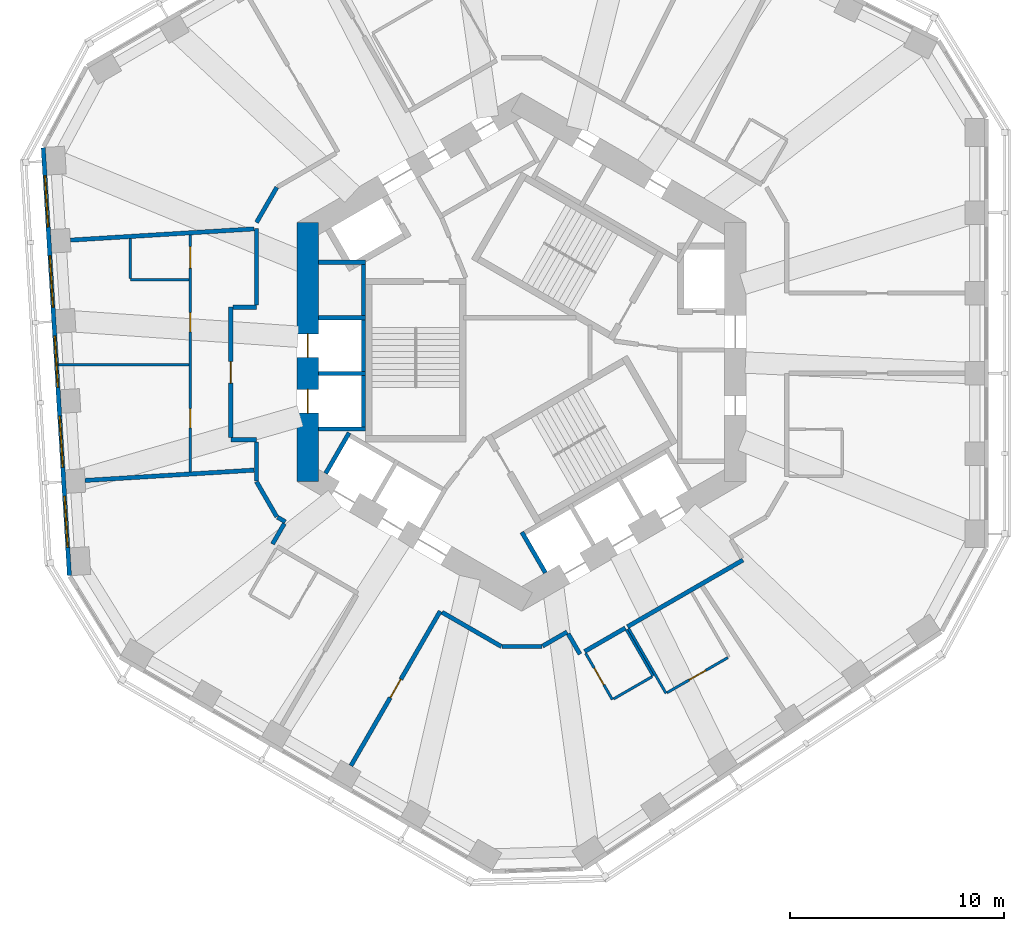
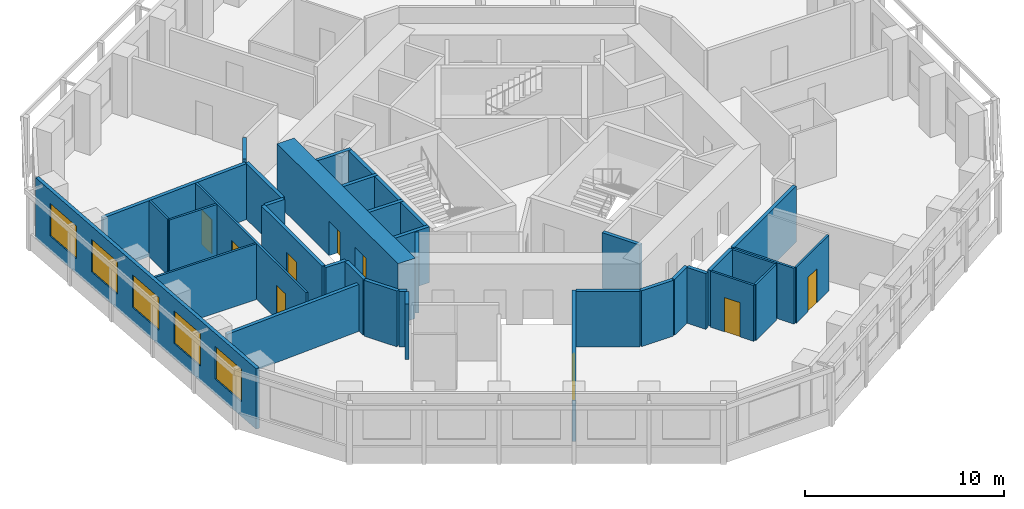
# One storey, part 4 of 11: 36 walls, 9 doors, 5 windows, 14 openings.
"""IFC4 building model written with IfcOpenShell, lengths in metres."""

from ifc_helpers import new_model, si_unit, direction, frame, frame_2d, origin, place, context, subcontext, project, spatial, rectangle, extrude, material, layer, layer_set, type_object, element, fill, save


model = new_model("IFC4")

# Units and contexts
model_context = context("Model", 3, precision=1e-05, world=origin(), true_north=direction((0.0, 1.0)))
body_context = subcontext(model_context, "Body", "Model", "MODEL_VIEW")
ifc_project = project(units=[si_unit("LENGTHUNIT", "METRE"), si_unit("AREAUNIT", "SQUARE_METRE"), si_unit("VOLUMEUNIT", "CUBIC_METRE"), si_unit("PLANEANGLEUNIT", "RADIAN"), si_unit("MASSUNIT", "GRAM", prefix="KILO")], contexts=[model_context])

# Site, building, storey
site_placement = place(None, origin())
site = spatial("IfcSite", under=ifc_project, at=site_placement, CompositionType="ELEMENT")
building_placement = place(site_placement, origin())
building = spatial("IfcBuilding", under=site, at=building_placement, Name="Vanh Sen Convention Tower", CompositionType="ELEMENT")
storey_placement = place(building_placement, frame((0.0, 0.0, 150.300048828125)))
storey = spatial("IfcBuildingStorey", under=building, at=storey_placement, Name="L36", CompositionType="ELEMENT", Elevation=150.300048828125)

# Walls
ifc_material_1 = material(Name="Moisture-resistant gypsum board on steel studs", Category="steel")
ifc_layer_1 = layer(ifc_material_1, 0.1201171875)
ifc_layer_set_1 = layer_set([ifc_layer_1], Name="Moisture-resistant gypsum board on steel studs")
wall_type_1 = type_object("IfcWallType", Name="Bathroom partition 120", PredefinedType="PARTITIONING", material=ifc_layer_set_1)
wall_1_placement = place(storey_placement, frame((-21.65380859375, -0.591796875, 0.0), z_axis=(0.0, 0.0, 1.0), x_axis=(1.0, 0.0, 0.0)))
element("IfcWall", 1, at=wall_1_placement, inside=storey, type_object=wall_type_1, Name="Bathroom partition 120", PredefinedType="PARTITIONING", context=body_context, shape_type="SweptSolid", body=[
    extrude(rectangle(XDim=6.0927734375, YDim=0.1201171875, at=frame_2d((3.04638671875, 0.0))), origin(), (0.0, 0.0, 1.0), 3.419921875),
])
wall_2_placement = place(storey_placement, frame((-18.301025390625, 3.379638671875, 0.0), z_axis=(0.0, 0.0, 1.0), x_axis=(1.0, 0.0, 0.0)))
element("IfcWall", 2, at=wall_2_placement, inside=storey, type_object=wall_type_1, Name="Bathroom partition 120", PredefinedType="PARTITIONING", context=body_context, shape_type="SweptSolid", body=[
    extrude(rectangle(XDim=2.739990234375, YDim=0.1201171875, at=frame_2d((1.3701171875, 0.0))), origin(), (0.0, 0.0, 1.0), 3.419921875),
])
wall_3_placement = place(storey_placement, frame((-18.301025390625, 5.308349609375, 0.0), z_axis=(0.0, 0.0, 1.0), x_axis=(0.0, -1.0, 0.0)))
element("IfcWall", 3, at=wall_3_placement, inside=storey, type_object=wall_type_1, Name="Bathroom partition 120", PredefinedType="PARTITIONING", context=body_context, shape_type="SweptSolid", body=[
    extrude(rectangle(XDim=1.86865234375, YDim=0.1201171875, at=frame_2d((0.934326171875, 0.0))), origin(), (0.0, 0.0, 1.0), 3.419921875),
])

# Wall, openings, doors
wall_4_placement = place(storey_placement, frame((-15.5009765625, 5.4794921875, 0.0), z_axis=(0.0, 0.0, 1.0), x_axis=(0.0, -1.0, 0.0)))
wall_4 = element("IfcWall", 4, at=wall_4_placement, inside=storey, type_object=wall_type_1, Name="Bathroom partition 120", PredefinedType="PARTITIONING", context=body_context, shape_type="SweptSolid", body=[
    extrude(rectangle(XDim=11.08349609375, YDim=0.1201171875, at=frame_2d((5.541748046875, 0.0))), origin(), (0.0, 0.0, 1.0), 3.419921875),
])
opening_1_placement = place(wall_4_placement, frame((0.550048828125, 0.0, 0.0)))
opening_1 = element("IfcOpeningElement", 5, at=opening_1_placement, cuts=wall_4, Name="Opening D35108", PredefinedType="OPENING", context=body_context, shape_type="SweptSolid", body=[
    extrude(rectangle(XDim=1.0, YDim=2.10009765625, at=frame_2d((0.5, 1.050048828125))), frame((0.0, 0.070068359375, 0.0), z_axis=(0.0, -1.0, 0.0), x_axis=(1.0, 0.0, 0.0)), (0.0, 0.0, 1.0), 0.14013671875),
])
opening_2_placement = place(wall_4_placement, frame((3.6357421875, 0.0, 0.0)))
opening_2 = element("IfcOpeningElement", 6, at=opening_2_placement, cuts=wall_4, Name="Opening D35109", PredefinedType="OPENING", context=body_context, shape_type="SweptSolid", body=[
    extrude(rectangle(XDim=0.89990234375, YDim=2.10009765625, at=frame_2d((0.449951171875, 1.050048828125))), frame((0.0, 0.070068359375, 0.0), z_axis=(0.0, -1.0, 0.0), x_axis=(1.0, 0.0, 0.0)), (0.0, 0.0, 1.0), 0.14013671875),
])
opening_3_placement = place(wall_4_placement, frame((8.12744140625, 0.0, 0.0)))
opening_3 = element("IfcOpeningElement", 7, at=opening_3_placement, cuts=wall_4, Name="Opening D35110", PredefinedType="OPENING", context=body_context, shape_type="SweptSolid", body=[
    extrude(rectangle(XDim=0.89990234375, YDim=2.10009765625, at=frame_2d((0.449951171875, 1.050048828125))), frame((0.0, 0.070068359375, 0.0), z_axis=(0.0, -1.0, 0.0), x_axis=(1.0, 0.0, 0.0)), (0.0, 0.0, 1.0), 0.14013671875),
])
ifc_material_2 = material(Name="Laminate door in steel frame", Category="steel")
door_type_1 = type_object("IfcDoorType", Name="Accessible WC door 1000", OperationType="SINGLE_SWING_LEFT", PredefinedType="DOOR", material=ifc_material_2)
door_1_placement = place(opening_1_placement, origin())
door_1 = element("IfcDoor", 8, at=door_1_placement, inside=storey, type_object=door_type_1, Name="Accessible WC door D35108", OperationType="SINGLE_SWING_LEFT", OverallHeight=2.10009765625, OverallWidth=1.0, PredefinedType="DOOR", context=body_context, shape_type="SweptSolid", body=[
    extrude(rectangle(XDim=1.0, YDim=2.10009765625, at=frame_2d((0.5, 1.050048828125))), frame((0.0, 0.02490234375, 0.0), z_axis=(0.0, -1.0, 0.0), x_axis=(1.0, 0.0, 0.0)), (0.0, 0.0, 1.0), 0.050048828125),
])
fill(opening_1, door_1)
door_type_2 = type_object("IfcDoorType", Name="Room internal door 900", OperationType="SINGLE_SWING_LEFT", PredefinedType="DOOR", material=ifc_material_2)
door_2_placement = place(opening_2_placement, origin())
door_2 = element("IfcDoor", 9, at=door_2_placement, inside=storey, type_object=door_type_2, Name="Internal room door D35109", OperationType="SINGLE_SWING_LEFT", OverallHeight=2.10009765625, OverallWidth=0.89990234375, PredefinedType="DOOR", context=body_context, shape_type="SweptSolid", body=[
    extrude(rectangle(XDim=0.89990234375, YDim=2.10009765625, at=frame_2d((0.449951171875, 1.050048828125))), frame((0.0, 0.02490234375, 0.0), z_axis=(0.0, -1.0, 0.0), x_axis=(1.0, 0.0, 0.0)), (0.0, 0.0, 1.0), 0.050048828125),
])
fill(opening_2, door_2)
door_3_placement = place(opening_3_placement, origin())
door_3 = element("IfcDoor", 10, at=door_3_placement, inside=storey, type_object=door_type_2, Name="Internal room door D35110", OperationType="SINGLE_SWING_LEFT", OverallHeight=2.10009765625, OverallWidth=0.89990234375, PredefinedType="DOOR", context=body_context, shape_type="SweptSolid", body=[
    extrude(rectangle(XDim=0.89990234375, YDim=2.10009765625, at=frame_2d((0.449951171875, 1.050048828125))), frame((0.0, 0.02490234375, 0.0), z_axis=(0.0, -1.0, 0.0), x_axis=(1.0, 0.0, 0.0)), (0.0, 0.0, 1.0), 0.050048828125),
])
fill(opening_3, door_3)

# Wall, opening, door
wall_5_placement = place(storey_placement, frame((4.245849609375, -16.256103515625, 0.0), z_axis=(0.0, 0.0, 1.0), x_axis=(-0.499961950354, 0.866047370643, 0.0)))
wall_5 = element("IfcWall", 11, at=wall_5_placement, inside=storey, type_object=wall_type_1, Name="Bathroom partition 120", PredefinedType="PARTITIONING", context=body_context, shape_type="SweptSolid", body=[
    extrude(rectangle(XDim=2.500244140625, YDim=0.1201171875, at=frame_2d((1.25, 0.0))), origin(), (0.0, 0.0, 1.0), 3.419921875),
])
opening_4_placement = place(wall_5_placement, frame((0.800048828125, 0.0, 0.0)))
opening_4 = element("IfcOpeningElement", 12, at=opening_4_placement, cuts=wall_5, Name="Opening D35114", PredefinedType="OPENING", context=body_context, shape_type="SweptSolid", body=[
    extrude(rectangle(XDim=0.89990234375, YDim=2.10009765625, at=frame_2d((0.449951171875, 1.050048828125))), frame((0.0, 0.070068359375, 0.0), z_axis=(0.0, -1.0, 0.0), x_axis=(1.0, 0.0, 0.0)), (0.0, 0.0, 1.0), 0.14013671875),
])
door_4_placement = place(opening_4_placement, origin())
door_4 = element("IfcDoor", 13, at=door_4_placement, inside=storey, type_object=door_type_2, Name="Internal room door D35114", OperationType="SINGLE_SWING_LEFT", OverallHeight=2.10009765625, OverallWidth=0.89990234375, PredefinedType="DOOR", context=body_context, shape_type="SweptSolid", body=[
    extrude(rectangle(XDim=0.89990234375, YDim=2.10009765625, at=frame_2d((0.449951171875, 1.050048828125))), frame((0.0, 0.02490234375, 0.0), z_axis=(0.0, -1.0, 0.0), x_axis=(1.0, 0.0, 0.0)), (0.0, 0.0, 1.0), 0.050048828125),
])
fill(opening_4, door_4)

# Walls
wall_6_placement = place(storey_placement, frame((4.901123046875, -12.990966796875, 0.0), z_axis=(0.0, 0.0, 1.0), x_axis=(0.500004234368, -0.866022959057, 0.0)))
element("IfcWall", 14, at=wall_6_placement, inside=storey, type_object=wall_type_1, Name="Bathroom partition 120", PredefinedType="PARTITIONING", context=body_context, shape_type="SweptSolid", body=[
    extrude(rectangle(XDim=2.5, YDim=0.1201171875, at=frame_2d((1.25, 0.0))), origin(), (0.0, 0.0, 1.0), 3.419921875),
])
wall_7_placement = place(storey_placement, frame((6.09912109375, -15.18603515625, 0.0), z_axis=(0.0, 0.0, 1.0), x_axis=(-0.866009661879, -0.500027264788, 0.0)))
element("IfcWall", 15, at=wall_7_placement, inside=storey, type_object=wall_type_1, Name="Bathroom partition 120", PredefinedType="PARTITIONING", context=body_context, shape_type="SweptSolid", body=[
    extrude(rectangle(XDim=2.080078125, YDim=0.1201171875, at=frame_2d((1.0400390625, 0.0))), origin(), (0.0, 0.0, 1.0), 3.419921875),
])
wall_8_placement = place(storey_placement, frame((6.7548828125, -15.9619140625, 0.0), z_axis=(0.0, 0.0, 1.0), x_axis=(-0.500010275428, 0.866019471182, 0.0)))
element("IfcWall", 16, at=wall_8_placement, inside=storey, type_object=wall_type_1, Name="Bathroom partition 120", PredefinedType="PARTITIONING", context=body_context, shape_type="SweptSolid", body=[
    extrude(rectangle(XDim=3.5, YDim=0.1201171875, at=frame_2d((1.75, 0.0))), origin(), (0.0, 0.0, 1.0), 3.419921875),
])

# Wall, opening, door
wall_9_placement = place(storey_placement, frame((9.6474609375, -14.2919921875, 0.0), z_axis=(0.0, 0.0, 1.0), x_axis=(-0.866040564224, -0.499973740429, 0.0)))
wall_9 = element("IfcWall", 17, at=wall_9_placement, inside=storey, type_object=wall_type_1, Name="Bathroom partition 120", PredefinedType="PARTITIONING", context=body_context, shape_type="SweptSolid", body=[
    extrude(rectangle(XDim=3.280029296875, YDim=0.1201171875, at=frame_2d((1.64013671875, 0.0))), origin(), (0.0, 0.0, 1.0), 3.419921875),
])
opening_5_placement = place(wall_9_placement, frame((1.18994140625, 0.0, 0.0)))
opening_5 = element("IfcOpeningElement", 18, at=opening_5_placement, cuts=wall_9, Name="Opening D35115", PredefinedType="OPENING", context=body_context, shape_type="SweptSolid", body=[
    extrude(rectangle(XDim=0.89990234375, YDim=2.10009765625, at=frame_2d((0.449951171875, 1.050048828125))), frame((0.0, 0.070068359375, 0.0), z_axis=(0.0, -1.0, 0.0), x_axis=(1.0, 0.0, 0.0)), (0.0, 0.0, 1.0), 0.14013671875),
])
door_5_placement = place(opening_5_placement, origin())
door_5 = element("IfcDoor", 19, at=door_5_placement, inside=storey, type_object=door_type_2, Name="Internal room door D35115", OperationType="SINGLE_SWING_LEFT", OverallHeight=2.10009765625, OverallWidth=0.89990234375, PredefinedType="DOOR", context=body_context, shape_type="SweptSolid", body=[
    extrude(rectangle(XDim=0.89990234375, YDim=2.10009765625, at=frame_2d((0.449951171875, 1.050048828125))), frame((0.0, 0.02490234375, 0.0), z_axis=(0.0, -1.0, 0.0), x_axis=(1.0, 0.0, 0.0)), (0.0, 0.0, 1.0), 0.050048828125),
])
fill(opening_5, door_5)

# Wall, openings, doors
ifc_material_3 = material(Name="Concrete C80/95", Category="concrete")
ifc_layer_2 = layer(ifc_material_3, 1.0)
ifc_layer_set_2 = layer_set([ifc_layer_2], Name="Concrete C80/95")
wall_type_2 = type_object("IfcWallType", Name="Core outer wall 1000 C80/95", PredefinedType="SHEAR", material=ifc_layer_set_2)
wall_10_placement = place(storey_placement, frame((-10.0, 6.062255859375, 0.0), z_axis=(0.0, 0.0, 1.0), x_axis=(0.0, -1.0, 0.0)))
wall_10 = element("IfcWall", 20, at=wall_10_placement, inside=storey, type_object=wall_type_2, Name="Core wall face W L36", PredefinedType="SHEAR", context=body_context, shape_type="SweptSolid", body=[
    extrude(rectangle(XDim=12.12451171875, YDim=1.0, at=frame_2d((6.062255859375, 0.0))), origin(), (0.0, 0.0, 1.0), 3.699951171875),
])
opening_6_placement = place(wall_10_placement, frame((5.212158203125, 0.0, 0.0)))
opening_6 = element("IfcOpeningElement", 21, at=opening_6_placement, cuts=wall_10, Name="Opening LD-HR1", PredefinedType="OPENING", context=body_context, shape_type="SweptSolid", body=[
    extrude(rectangle(XDim=1.10009765625, YDim=2.10009765625, at=frame_2d((0.550048828125, 1.050048828125))), frame((0.0, 0.510009765625, 0.0), z_axis=(0.0, -1.0, 0.0), x_axis=(1.0, 0.0, 0.0)), (0.0, 0.0, 1.0), 1.02001953125),
])
opening_7_placement = place(wall_10_placement, frame((7.812255859375, 0.0, 0.0)))
opening_7 = element("IfcOpeningElement", 22, at=opening_7_placement, cuts=wall_10, Name="Opening LD-HR2", PredefinedType="OPENING", context=body_context, shape_type="SweptSolid", body=[
    extrude(rectangle(XDim=1.10009765625, YDim=2.10009765625, at=frame_2d((0.550048828125, 1.050048828125))), frame((0.0, 0.510009765625, 0.0), z_axis=(0.0, -1.0, 0.0), x_axis=(1.0, 0.0, 0.0)), (0.0, 0.0, 1.0), 1.02001953125),
])
ifc_material_4 = material(Name="Stainless steel", Category="steel")
door_type_3 = type_object("IfcDoorType", Name="Lift landing door 1100", OperationType="DOUBLE_DOOR_SLIDING", PredefinedType="DOOR", material=ifc_material_4)
door_6_placement = place(opening_6_placement, origin())
door_6 = element("IfcDoor", 23, at=door_6_placement, inside=storey, type_object=door_type_3, Name="Lift HR1 landing door LD-HR1", OperationType="DOUBLE_DOOR_SLIDING", OverallHeight=2.10009765625, OverallWidth=1.10009765625, PredefinedType="DOOR", context=body_context, shape_type="SweptSolid", body=[
    extrude(rectangle(XDim=1.10009765625, YDim=2.10009765625, at=frame_2d((0.550048828125, 1.050048828125))), frame((0.0, 0.02490234375, 0.0), z_axis=(0.0, -1.0, 0.0), x_axis=(1.0, 0.0, 0.0)), (0.0, 0.0, 1.0), 0.050048828125),
])
fill(opening_6, door_6)
door_7_placement = place(opening_7_placement, origin())
door_7 = element("IfcDoor", 24, at=door_7_placement, inside=storey, type_object=door_type_3, Name="Lift HR2 landing door LD-HR2", OperationType="DOUBLE_DOOR_SLIDING", OverallHeight=2.10009765625, OverallWidth=1.10009765625, PredefinedType="DOOR", context=body_context, shape_type="SweptSolid", body=[
    extrude(rectangle(XDim=1.10009765625, YDim=2.10009765625, at=frame_2d((0.550048828125, 1.050048828125))), frame((0.0, 0.02490234375, 0.0), z_axis=(0.0, -1.0, 0.0), x_axis=(1.0, 0.0, 0.0)), (0.0, 0.0, 1.0), 0.050048828125),
])
fill(opening_7, door_7)

# Wall
ifc_material_5 = material(Name="Gypsum board on steel studs with mineral wool", Category="steel")
ifc_layer_3 = layer(ifc_material_5, 0.199951171875)
ifc_layer_set_3 = layer_set([ifc_layer_3], Name="Gypsum board on steel studs with mineral wool")
wall_type_3 = type_object("IfcWallType", Name="Corridor partition wall 200", PredefinedType="PARTITIONING", material=ifc_layer_set_3)
wall_11_placement = place(storey_placement, frame((-13.60107421875, -4.10107421875, 0.0), z_axis=(0.0, 0.0, 1.0), x_axis=(1.0, 0.0, 0.0)))
element("IfcWall", 25, at=wall_11_placement, inside=storey, type_object=wall_type_3, Name="Corridor partition wall 200", PredefinedType="PARTITIONING", context=body_context, shape_type="SweptSolid", body=[
    extrude(rectangle(XDim=1.201171875, YDim=0.199951171875, at=frame_2d((0.6005859375, 0.0))), origin(), (0.0, 0.0, 1.0), 3.419921875),
])

# Wall, opening, door
wall_12_placement = place(storey_placement, frame((-13.60107421875, 2.10107421875, 0.0), z_axis=(0.0, 0.0, 1.0), x_axis=(0.0, -1.0, 0.0)))
wall_12 = element("IfcWall", 26, at=wall_12_placement, inside=storey, type_object=wall_type_3, Name="Corridor partition wall 200", PredefinedType="PARTITIONING", context=body_context, shape_type="SweptSolid", body=[
    extrude(rectangle(XDim=6.10205078125, YDim=0.199951171875, at=frame_2d((3.051025390625, 0.0))), origin(), (0.0, 0.0, 1.0), 3.419921875),
])
opening_8_placement = place(wall_12_placement, frame((2.551025390625, 0.0, 0.0)))
opening_8 = element("IfcOpeningElement", 27, at=opening_8_placement, cuts=wall_12, Name="Opening D35107", PredefinedType="OPENING", context=body_context, shape_type="SweptSolid", body=[
    extrude(rectangle(XDim=1.0, YDim=2.10009765625, at=frame_2d((0.5, 1.050048828125))), frame((0.0, 0.10986328125, 0.0), z_axis=(0.0, -1.0, 0.0), x_axis=(1.0, 0.0, 0.0)), (0.0, 0.0, 1.0), 0.219970703125),
])
ifc_material_6 = material(Name="Timber fire door in steel frame", Category="steel")
door_type_4 = type_object("IfcDoorType", Name="Floor room door 1000", OperationType="SINGLE_SWING_LEFT", PredefinedType="DOOR", material=ifc_material_6)
door_8_placement = place(opening_8_placement, origin())
door_8 = element("IfcDoor", 28, at=door_8_placement, inside=storey, type_object=door_type_4, Name="Meeting and amenity room door D35107", OperationType="SINGLE_SWING_LEFT", OverallHeight=2.10009765625, OverallWidth=1.0, PredefinedType="DOOR", context=body_context, shape_type="SweptSolid", body=[
    extrude(rectangle(XDim=1.0, YDim=2.10009765625, at=frame_2d((0.5, 1.050048828125))), frame((0.0, 0.02490234375, 0.0), z_axis=(0.0, -1.0, 0.0), x_axis=(1.0, 0.0, 0.0)), (0.0, 0.0, 1.0), 0.050048828125),
])
fill(opening_8, door_8)

# Walls
wall_13_placement = place(storey_placement, frame((-12.39990234375, -6.062255859375, 0.0), z_axis=(0.0, 0.0, 1.0), x_axis=(0.500022797313, -0.86601224135, 0.0)))
element("IfcWall", 29, at=wall_13_placement, inside=storey, type_object=wall_type_3, Name="Corridor partition wall 200", PredefinedType="PARTITIONING", context=body_context, shape_type="SweptSolid", body=[
    extrude(rectangle(XDim=1.89990234375, YDim=0.199951171875, at=frame_2d((0.949951171875, 0.0))), origin(), (0.0, 0.0, 1.0), 3.419921875),
])
wall_14_placement = place(storey_placement, frame((-12.39990234375, -4.200927734375, 0.0), z_axis=(0.0, 0.0, 1.0), x_axis=(0.0, -1.0, 0.0)))
element("IfcWall", 30, at=wall_14_placement, inside=storey, type_object=wall_type_3, Name="Corridor partition wall 200", PredefinedType="PARTITIONING", context=body_context, shape_type="SweptSolid", body=[
    extrude(rectangle(XDim=1.8212890625, YDim=0.199951171875, at=frame_2d((0.91064453125, 0.0))), origin(), (0.0, 0.0, 1.0), 3.419921875),
])
wall_15_placement = place(storey_placement, frame((-12.39990234375, 2.10107421875, 0.0), z_axis=(0.0, 0.0, 1.0), x_axis=(-1.0, 0.0, 0.0)))
element("IfcWall", 31, at=wall_15_placement, inside=storey, type_object=wall_type_3, Name="Corridor partition wall 200", PredefinedType="PARTITIONING", context=body_context, shape_type="SweptSolid", body=[
    extrude(rectangle(XDim=1.10107421875, YDim=0.199951171875, at=frame_2d((0.550537109375, 0.0))), origin(), (0.0, 0.0, 1.0), 3.419921875),
])
wall_16_placement = place(storey_placement, frame((-12.39990234375, 5.769287109375, 0.0), z_axis=(0.0, 0.0, 1.0), x_axis=(0.0, -1.0, 0.0)))
element("IfcWall", 32, at=wall_16_placement, inside=storey, type_object=wall_type_3, Name="Corridor partition wall 200", PredefinedType="PARTITIONING", context=body_context, shape_type="SweptSolid", body=[
    extrude(rectangle(XDim=3.568359375, YDim=0.199951171875, at=frame_2d((1.7841796875, 0.0))), origin(), (0.0, 0.0, 1.0), 3.419921875),
])
wall_17_placement = place(storey_placement, frame((-11.449951171875, 7.70751953125, 0.0), z_axis=(0.0, 0.0, 1.0), x_axis=(-0.500022797313, -0.86601224135, 0.0)))
element("IfcWall", 33, at=wall_17_placement, inside=storey, type_object=wall_type_3, Name="Corridor partition wall 200", PredefinedType="PARTITIONING", context=body_context, shape_type="SweptSolid", body=[
    extrude(rectangle(XDim=1.89990234375, YDim=0.199951171875, at=frame_2d((0.949951171875, 0.0))), origin(), (0.0, 0.0, 1.0), 3.419921875),
])
wall_18_placement = place(storey_placement, frame((-11.415283203125, -7.7275390625, 0.0), z_axis=(0.0, 0.0, 1.0), x_axis=(0.865915281873, -0.500190688257, 0.0)))
element("IfcWall", 34, at=wall_18_placement, inside=storey, type_object=wall_type_3, Name="Corridor partition wall 200", PredefinedType="PARTITIONING", context=body_context, shape_type="SweptSolid", body=[
    extrude(rectangle(XDim=0.421142578125, YDim=0.199951171875, at=frame_2d((0.21044921875, 0.0))), origin(), (0.0, 0.0, 1.0), 3.419921875),
])
wall_19_placement = place(storey_placement, frame((-11.1005859375, -8.02490234375, 0.0), z_axis=(0.0, 0.0, 1.0), x_axis=(-0.500074377092, -0.865982457891, 0.0)))
element("IfcWall", 35, at=wall_19_placement, inside=storey, type_object=wall_type_3, Name="Corridor partition wall 200", PredefinedType="PARTITIONING", context=body_context, shape_type="SweptSolid", body=[
    extrude(rectangle(XDim=1.100830078125, YDim=0.199951171875, at=frame_2d((0.55029296875, 0.0))), origin(), (0.0, 0.0, 1.0), 3.419921875),
])

# Wall, opening, door
wall_20_placement = place(storey_placement, frame((-7.983642578125, -19.3505859375, 0.0), z_axis=(0.0, 0.0, 1.0), x_axis=(0.500010139422, 0.866019549707, 0.0)))
wall_20 = element("IfcWall", 36, at=wall_20_placement, inside=storey, type_object=wall_type_3, Name="Corridor partition wall 200", PredefinedType="PARTITIONING", context=body_context, shape_type="SweptSolid", body=[
    extrude(rectangle(XDim=8.349853515625, YDim=0.199951171875, at=frame_2d((4.1748046875, 0.0))), origin(), (0.0, 0.0, 1.0), 3.419921875),
])
opening_9_placement = place(wall_20_placement, frame((3.675048828125, 0.0, 0.0)))
opening_9 = element("IfcOpeningElement", 37, at=opening_9_placement, cuts=wall_20, Name="Opening D35113", PredefinedType="OPENING", context=body_context, shape_type="SweptSolid", body=[
    extrude(rectangle(XDim=1.0, YDim=2.10009765625, at=frame_2d((0.5, 1.050048828125))), frame((0.0, 0.10986328125, 0.0), z_axis=(0.0, -1.0, 0.0), x_axis=(1.0, 0.0, 0.0)), (0.0, 0.0, 1.0), 0.219970703125),
])
ifc_material_7 = material(Name="Glazed fire door in steel frame", Category="steel")
door_type_5 = type_object("IfcDoorType", Name="Tenant entrance door 1000", OperationType="SINGLE_SWING_LEFT", PredefinedType="DOOR", material=ifc_material_7)
door_9_placement = place(opening_9_placement, origin())
door_9 = element("IfcDoor", 38, at=door_9_placement, inside=storey, type_object=door_type_5, Name="Tenant suite entrance door D35113", OperationType="SINGLE_SWING_LEFT", OverallHeight=2.10009765625, OverallWidth=1.0, PredefinedType="DOOR", context=body_context, shape_type="SweptSolid", body=[
    extrude(rectangle(XDim=1.0, YDim=2.10009765625, at=frame_2d((0.5, 1.050048828125))), frame((0.0, 0.02490234375, 0.0), z_axis=(0.0, -1.0, 0.0), x_axis=(1.0, 0.0, 0.0)), (0.0, 0.0, 1.0), 0.050048828125),
])
fill(opening_9, door_9)

# Walls
wall_21_placement = place(storey_placement, frame((-3.721923828125, -12.16943359375, 0.0), z_axis=(0.0, 0.0, 1.0), x_axis=(0.866033163891, -0.499986558861, 0.0)))
element("IfcWall", 39, at=wall_21_placement, inside=storey, type_object=wall_type_3, Name="Corridor partition wall 200", PredefinedType="PARTITIONING", context=body_context, shape_type="SweptSolid", body=[
    extrude(rectangle(XDim=3.20068359375, YDim=0.199951171875, at=frame_2d((1.600341796875, 0.0))), origin(), (0.0, 0.0, 1.0), 3.419921875),
])
wall_22_placement = place(storey_placement, frame((-0.909912109375, -13.769775390625, 0.0), z_axis=(0.0, 0.0, 1.0), x_axis=(1.0, 0.0, 0.0)))
element("IfcWall", 40, at=wall_22_placement, inside=storey, type_object=wall_type_3, Name="Corridor partition wall 200", PredefinedType="PARTITIONING", context=body_context, shape_type="SweptSolid", body=[
    extrude(rectangle(XDim=1.85986328125, YDim=0.199951171875, at=frame_2d((0.929931640625, 0.0))), origin(), (0.0, 0.0, 1.0), 3.419921875),
])
wall_23_placement = place(storey_placement, frame((0.984619140625, -13.749755859375, 0.0), z_axis=(0.0, 0.0, 1.0), x_axis=(0.866028661061, 0.499994358189, 0.0)))
element("IfcWall", 41, at=wall_23_placement, inside=storey, type_object=wall_type_3, Name="Corridor partition wall 200", PredefinedType="PARTITIONING", context=body_context, shape_type="SweptSolid", body=[
    extrude(rectangle(XDim=1.3212890625, YDim=0.199951171875, at=frame_2d((0.66064453125, 0.0))), origin(), (0.0, 0.0, 1.0), 3.419921875),
])
wall_24_placement = place(storey_placement, frame((2.1787109375, -13.17578125, 0.0), z_axis=(0.0, 0.0, 1.0), x_axis=(0.499978356969, -0.866037899034, 0.0)))
element("IfcWall", 42, at=wall_24_placement, inside=storey, type_object=wall_type_3, Name="Corridor partition wall 200", PredefinedType="PARTITIONING", context=body_context, shape_type="SweptSolid", body=[
    extrude(rectangle(XDim=1.10107421875, YDim=0.199951171875, at=frame_2d((0.550537109375, 0.0))), origin(), (0.0, 0.0, 1.0), 3.419921875),
])
wall_25_placement = place(storey_placement, frame((2.94580078125, -14.00439453125, 0.0), z_axis=(0.0, 0.0, 1.0), x_axis=(0.866008176907, 0.50002983664, 0.0)))
element("IfcWall", 43, at=wall_25_placement, inside=storey, type_object=wall_type_3, Name="Corridor partition wall 200", PredefinedType="PARTITIONING", context=body_context, shape_type="SweptSolid", body=[
    extrude(rectangle(XDim=2.199951171875, YDim=0.199951171875, at=frame_2d((1.10009765625, 0.0))), origin(), (0.0, 0.0, 1.0), 3.419921875),
])
wall_26_placement = place(storey_placement, frame((4.955078125, -12.84423828125, 0.0), z_axis=(0.0, 0.0, 1.0), x_axis=(0.86602379309, 0.500002789795, 0.0)))
element("IfcWall", 44, at=wall_26_placement, inside=storey, type_object=wall_type_3, Name="Corridor partition wall 200", PredefinedType="PARTITIONING", context=body_context, shape_type="SweptSolid", body=[
    extrude(rectangle(XDim=6.23193359375, YDim=0.199951171875, at=frame_2d((3.115966796875, 0.0))), origin(), (0.0, 0.0, 1.0), 3.419921875),
])

# Wall, openings, windows
ifc_material_8 = material(Name="Insulated lightweight infill wall")
ifc_layer_4 = layer(ifc_material_8, 0.199951171875)
ifc_layer_set_4 = layer_set([ifc_layer_4], Name="Insulated lightweight infill wall")
wall_type_4 = type_object("IfcWallType", Name="External wall 200", PredefinedType="STANDARD", material=ifc_layer_set_4)
wall_27_placement = place(storey_placement, frame((-22.375, 9.55712890625, 0.0), z_axis=(0.0, 0.0, 1.0), x_axis=(0.061036015339, -0.998135564356, 0.0)))
wall_27 = element("IfcWall", 45, at=wall_27_placement, inside=storey, type_object=wall_type_4, Name="External wall W L36", PredefinedType="STANDARD", context=body_context, shape_type="SweptSolid", body=[
    extrude(rectangle(XDim=20.043701171875, YDim=0.199951171875, at=frame_2d((10.02197265625, 0.0))), origin(), (0.0, 0.0, 1.0), 3.699951171875),
])
opening_10_placement = place(wall_27_placement, frame((1.312744140625, 0.0, 0.89990234375)))
opening_10 = element("IfcOpeningElement", 46, at=opening_10_placement, cuts=wall_27, Name="Opening WO1-W1", PredefinedType="OPENING", context=body_context, shape_type="SweptSolid", body=[
    extrude(rectangle(XDim=2.39990234375, YDim=2.0, at=frame_2d((1.199951171875, 1.0))), frame((0.0, 0.10986328125, 0.0), z_axis=(0.0, -1.0, 0.0), x_axis=(1.0, 0.0, 0.0)), (0.0, 0.0, 1.0), 0.219970703125),
])
opening_11_placement = place(wall_27_placement, frame((5.06689453125, 0.0, 0.89990234375)))
opening_11 = element("IfcOpeningElement", 47, at=opening_11_placement, cuts=wall_27, Name="Opening WO1-W2", PredefinedType="OPENING", context=body_context, shape_type="SweptSolid", body=[
    extrude(rectangle(XDim=2.39990234375, YDim=2.0, at=frame_2d((1.199951171875, 1.0))), frame((0.0, 0.10986328125, 0.0), z_axis=(0.0, -1.0, 0.0), x_axis=(1.0, 0.0, 0.0)), (0.0, 0.0, 1.0), 0.219970703125),
])
opening_12_placement = place(wall_27_placement, frame((8.821044921875, 0.0, 0.89990234375)))
opening_12 = element("IfcOpeningElement", 48, at=opening_12_placement, cuts=wall_27, Name="Opening WO1-W3", PredefinedType="OPENING", context=body_context, shape_type="SweptSolid", body=[
    extrude(rectangle(XDim=2.39990234375, YDim=2.0, at=frame_2d((1.199951171875, 1.0))), frame((0.0, 0.10986328125, 0.0), z_axis=(0.0, -1.0, 0.0), x_axis=(1.0, 0.0, 0.0)), (0.0, 0.0, 1.0), 0.219970703125),
])
opening_13_placement = place(wall_27_placement, frame((12.5751953125, 0.0, 0.89990234375)))
opening_13 = element("IfcOpeningElement", 49, at=opening_13_placement, cuts=wall_27, Name="Opening WO1-W4", PredefinedType="OPENING", context=body_context, shape_type="SweptSolid", body=[
    extrude(rectangle(XDim=2.39990234375, YDim=2.0, at=frame_2d((1.199951171875, 1.0))), frame((0.0, 0.10986328125, 0.0), z_axis=(0.0, -1.0, 0.0), x_axis=(1.0, 0.0, 0.0)), (0.0, 0.0, 1.0), 0.219970703125),
])
opening_14_placement = place(wall_27_placement, frame((16.329345703125, 0.0, 0.89990234375)))
opening_14 = element("IfcOpeningElement", 50, at=opening_14_placement, cuts=wall_27, Name="Opening WO1-W5", PredefinedType="OPENING", context=body_context, shape_type="SweptSolid", body=[
    extrude(rectangle(XDim=2.39990234375, YDim=2.0, at=frame_2d((1.199951171875, 1.0))), frame((0.0, 0.10986328125, 0.0), z_axis=(0.0, -1.0, 0.0), x_axis=(1.0, 0.0, 0.0)), (0.0, 0.0, 1.0), 0.219970703125),
])
ifc_material_9 = material(Name="Aluminium frame with clear low-emissivity glass", Category="aluminium")
window_type = type_object("IfcWindowType", Name="Office window 2400 x 2000", PartitioningType="SINGLE_PANEL", PredefinedType="WINDOW", material=ifc_material_9)
window_1_placement = place(opening_10_placement, origin())
window_1 = element("IfcWindow", 51, at=window_1_placement, inside=storey, type_object=window_type, Name="Window WO1-W1", OverallHeight=2.0, OverallWidth=2.39990234375, PartitioningType="SINGLE_PANEL", PredefinedType="WINDOW", context=body_context, shape_type="SweptSolid", body=[
    extrude(rectangle(XDim=2.39990234375, YDim=2.0, at=frame_2d((1.199951171875, 1.0))), frame((0.0, 0.030029296875, 0.0), z_axis=(0.0, -1.0, 0.0), x_axis=(1.0, 0.0, 0.0)), (0.0, 0.0, 1.0), 0.06005859375),
])
fill(opening_10, window_1)
window_2_placement = place(opening_11_placement, origin())
window_2 = element("IfcWindow", 52, at=window_2_placement, inside=storey, type_object=window_type, Name="Window WO1-W2", OverallHeight=2.0, OverallWidth=2.39990234375, PartitioningType="SINGLE_PANEL", PredefinedType="WINDOW", context=body_context, shape_type="SweptSolid", body=[
    extrude(rectangle(XDim=2.39990234375, YDim=2.0, at=frame_2d((1.199951171875, 1.0))), frame((0.0, 0.030029296875, 0.0), z_axis=(0.0, -1.0, 0.0), x_axis=(1.0, 0.0, 0.0)), (0.0, 0.0, 1.0), 0.06005859375),
])
fill(opening_11, window_2)
window_3_placement = place(opening_12_placement, origin())
window_3 = element("IfcWindow", 53, at=window_3_placement, inside=storey, type_object=window_type, Name="Window WO1-W3", OverallHeight=2.0, OverallWidth=2.39990234375, PartitioningType="SINGLE_PANEL", PredefinedType="WINDOW", context=body_context, shape_type="SweptSolid", body=[
    extrude(rectangle(XDim=2.39990234375, YDim=2.0, at=frame_2d((1.199951171875, 1.0))), frame((0.0, 0.030029296875, 0.0), z_axis=(0.0, -1.0, 0.0), x_axis=(1.0, 0.0, 0.0)), (0.0, 0.0, 1.0), 0.06005859375),
])
fill(opening_12, window_3)
window_4_placement = place(opening_13_placement, origin())
window_4 = element("IfcWindow", 54, at=window_4_placement, inside=storey, type_object=window_type, Name="Window WO1-W4", OverallHeight=2.0, OverallWidth=2.39990234375, PartitioningType="SINGLE_PANEL", PredefinedType="WINDOW", context=body_context, shape_type="SweptSolid", body=[
    extrude(rectangle(XDim=2.39990234375, YDim=2.0, at=frame_2d((1.199951171875, 1.0))), frame((0.0, 0.030029296875, 0.0), z_axis=(0.0, -1.0, 0.0), x_axis=(1.0, 0.0, 0.0)), (0.0, 0.0, 1.0), 0.06005859375),
])
fill(opening_13, window_4)
window_5_placement = place(opening_14_placement, origin())
window_5 = element("IfcWindow", 55, at=window_5_placement, inside=storey, type_object=window_type, Name="Window WO1-W5", OverallHeight=2.0, OverallWidth=2.39990234375, PartitioningType="SINGLE_PANEL", PredefinedType="WINDOW", context=body_context, shape_type="SweptSolid", body=[
    extrude(rectangle(XDim=2.39990234375, YDim=2.0, at=frame_2d((1.199951171875, 1.0))), frame((0.0, 0.030029296875, 0.0), z_axis=(0.0, -1.0, 0.0), x_axis=(1.0, 0.0, 0.0)), (0.0, 0.0, 1.0), 0.06005859375),
])
fill(opening_14, window_5)

# Walls
ifc_material_10 = material(Name="Concrete C40/50", Category="concrete")
ifc_layer_5 = layer(ifc_material_10, 0.199951171875)
ifc_layer_set_5 = layer_set([ifc_layer_5], Name="Concrete C40/50")
wall_type_5 = type_object("IfcWallType", Name="Lift shaft wall 200", PredefinedType="PARTITIONING", material=ifc_layer_set_5)
wall_28_placement = place(storey_placement, frame((-7.39990234375, 4.300048828125, 0.0), z_axis=(0.0, 0.0, 1.0), x_axis=(0.0, -1.0, 0.0)))
element("IfcWall", 56, at=wall_28_placement, inside=storey, type_object=wall_type_5, Name="Lift shaft wall L36", PredefinedType="PARTITIONING", context=body_context, shape_type="SweptSolid", body=[
    extrude(rectangle(XDim=8.0, YDim=0.199951171875, at=frame_2d((4.0, 0.0))), origin(), (0.0, 0.0, 1.0), 3.419921875),
])
for number, where, z_axis, x_axis, name in (
    (57, (-7.300048828125, 4.199951171875, 0.0), (0.0, 0.0, 1.0), (-1.0, 0.0, 0.0), "Lift shaft wall L36"),
    (58, (-7.300048828125, 1.60009765625, 0.0), (0.0, 0.0, 1.0), (-1.0, 0.0, 0.0), "Lift shaft wall L36"),
    (59, (-7.300048828125, -1.0, 0.0), (0.0, 0.0, 1.0), (-1.0, 0.0, 0.0), "Lift shaft wall L36"),
    (60, (-7.300048828125, -3.60009765625, 0.0), (0.0, 0.0, 1.0), (-1.0, 0.0, 0.0), "Lift shaft wall L36"),
    (61, (-8.066650390625, -3.77197265625, 0.0), (0.0, 0.0, 1.0), (-0.50002983664, -0.866008176907, 0.0), "Lift shaft wall L36"),
    (62, (0.0126953125, -8.422119140625, 0.0), (0.0, 0.0, 1.0), (0.500077893725, -0.86598042715, 0.0), "Lift shaft wall L36"),
):
    element("IfcWall", number, at=place(storey_placement, frame(where, z_axis=z_axis, x_axis=x_axis)), inside=storey, type_object=wall_type_5, Name=name, PredefinedType="PARTITIONING", context=body_context, shape_type="SweptSolid", body=[
        extrude(rectangle(XDim=2.199951171875, YDim=0.199951171875, at=frame_2d((1.10009765625, 0.0))), origin(), (0.0, 0.0, 1.0), 3.419921875),
    ])
ifc_layer_6 = layer(ifc_material_5, 0.199951171875)
ifc_layer_set_6 = layer_set([ifc_layer_6], Name="Gypsum board on steel studs with mineral wool")
wall_type_6 = type_object("IfcWallType", Name="Tenant suite wall 200", PredefinedType="PARTITIONING", material=ifc_layer_set_6)
wall_29_placement = place(storey_placement, frame((-21.10888671875, 5.236572265625, 0.0), z_axis=(0.0, 0.0, 1.0), x_axis=(0.998135264293, 0.061040922131, 0.0)))
element("IfcWall", 63, at=wall_29_placement, inside=storey, type_object=wall_type_6, Name="Tenant suite wall 200", PredefinedType="PARTITIONING", context=body_context, shape_type="SweptSolid", body=[
    extrude(rectangle(XDim=8.615234375, YDim=0.199951171875, at=frame_2d((4.3076171875, 0.0))), origin(), (0.0, 0.0, 1.0), 3.419921875),
])
wall_30_placement = place(storey_placement, frame((-20.42138671875, -6.0048828125, 0.0), z_axis=(0.0, 0.0, 1.0), x_axis=(0.998134865741, 0.061047438866, 0.0)))
element("IfcWall", 64, at=wall_30_placement, inside=storey, type_object=wall_type_6, Name="Tenant suite wall 200", PredefinedType="PARTITIONING", context=body_context, shape_type="SweptSolid", body=[
    extrude(rectangle(XDim=7.926513671875, YDim=0.199951171875, at=frame_2d((3.96337890625, 0.0))), origin(), (0.0, 0.0, 1.0), 2.869873046875),
])

save(model, "model.ifc")
